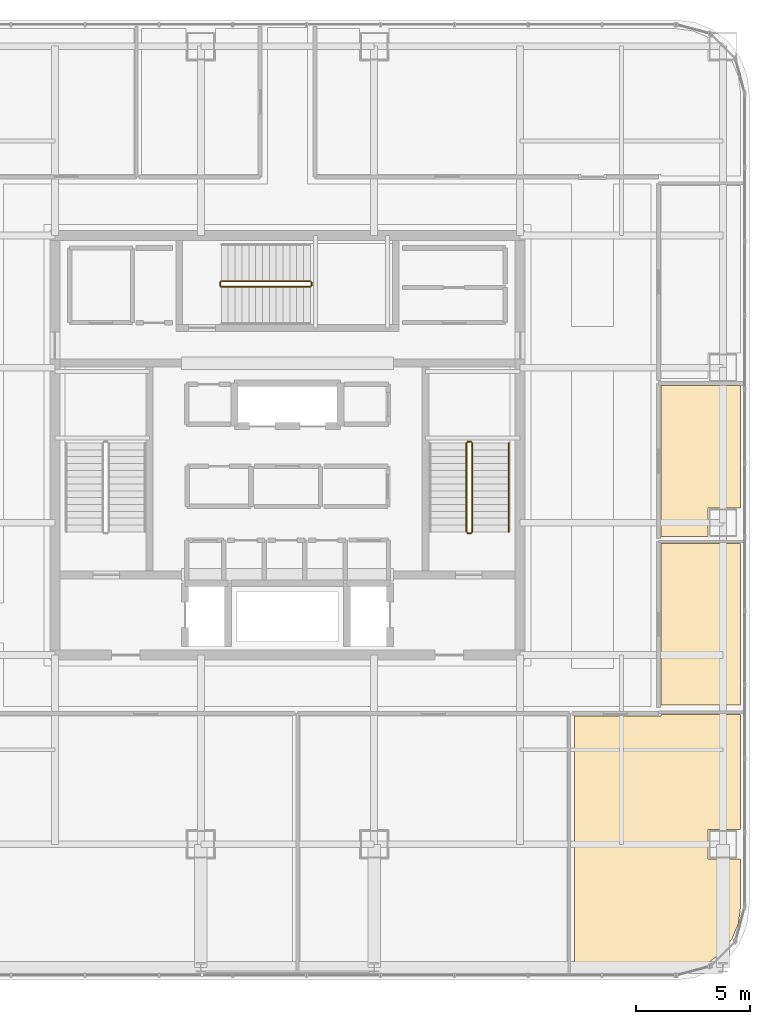
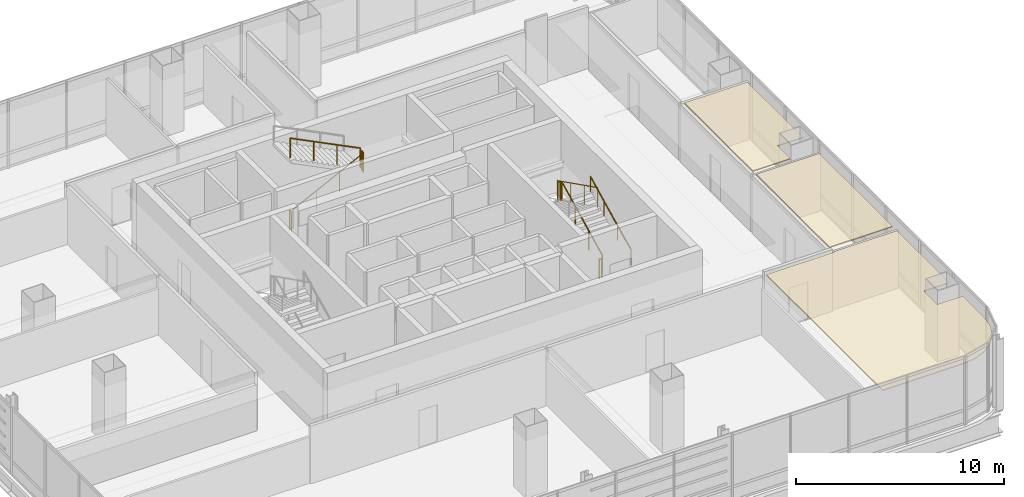
# One storey, part 42 of 43: 9 railings, 3 coverings.
"""IFC4 building model written with IfcOpenShell, lengths in metres."""

from ifc_helpers import new_model, si_unit, direction, frame, origin, origin_2d, place, context, subcontext, project, spatial, polyline, circle, outline, extrude, material, layer, layer_set, type_object, element, save


model = new_model("IFC4")

# Units and contexts
model_context = context("Model", 3, precision=1e-05, world=origin(), true_north=direction((0.0, 1.0)))
body_context = subcontext(model_context, "Body", "Model", "MODEL_VIEW")
ifc_project = project(units=[si_unit("LENGTHUNIT", "METRE"), si_unit("AREAUNIT", "SQUARE_METRE"), si_unit("VOLUMEUNIT", "CUBIC_METRE"), si_unit("PLANEANGLEUNIT", "RADIAN"), si_unit("MASSUNIT", "GRAM", prefix="KILO")], contexts=[model_context])

# Site, building, storey
site_placement = place(None, origin())
site = spatial("IfcSite", under=ifc_project, at=site_placement, CompositionType="ELEMENT")
building_placement = place(site_placement, origin())
building = spatial("IfcBuilding", under=site, at=building_placement, Name="Punatoya Terracotta Tower", CompositionType="ELEMENT")
storey_placement = place(building_placement, frame((0.0, 0.0, 321.60009765625)))
storey = spatial("IfcBuildingStorey", under=building, at=storey_placement, Name="L76", CompositionType="ELEMENT", Elevation=321.60009765625)

# Coverings
ifc_material_1 = material(Name="Acoustic Mineral Fibre Ceiling")
ifc_layer = layer(ifc_material_1, 0.06005859375)
ifc_layer_set = layer_set([ifc_layer], Name="Acoustic Mineral Fibre Ceiling")
covering_type = type_object("IfcCoveringType", Name="COV-CEIL-60", PredefinedType="CEILING", material=ifc_layer_set)
covering_1_placement = place(storey_placement, frame((0.0, 0.0, 3.389892578125)))
element("IfcCovering", 1, at=covering_1_placement, inside=storey, type_object=covering_type, Name="L76 Open-Plan Project Design Office Acoustic Ceiling", PredefinedType="CEILING", context=body_context, shape_type="SweptSolid", body=[
    extrude(outline(polyline([(16.3701171875, -11.8701171875), (12.575927734375, -11.8701171875), (12.575927734375, -23.070068359375), (17.025146484375, -23.070068359375), (17.779052734375, -22.970703125), (18.458251953125, -22.689453125), (19.041748046875, -22.24169921875), (19.489501953125, -21.658203125), (19.770751953125, -20.97900390625), (19.8701171875, -20.22509765625), (19.8701171875, -18.14990234375), (18.449951171875, -18.14990234375), (18.449951171875, -16.85009765625), (19.8701171875, -16.85009765625), (19.8701171875, -11.81005859375), (16.3701171875, -11.81005859375), (16.3701171875, -11.8701171875)])), origin(), (0.0, 0.0, 1.0), 0.06005859375),
])
covering_2_placement = place(storey_placement, frame((0.0, 0.0, 3.389892578125)))
element("IfcCovering", 2, at=covering_2_placement, inside=storey, type_object=covering_type, Name="L76 Client Strategy Boardroom Acoustic Ceiling", PredefinedType="CEILING", context=body_context, shape_type="SweptSolid", body=[
    extrude(outline(polyline([(16.3701171875, -4.318115234375), (16.3701171875, -11.389892578125), (19.8701171875, -11.389892578125), (19.8701171875, -4.318115234375), (16.3701171875, -4.318115234375)])), origin(), (0.0, 0.0, 1.0), 0.06005859375),
])
covering_3_placement = place(storey_placement, frame((0.0, 0.0, 3.389892578125)))
element("IfcCovering", 3, at=covering_3_placement, inside=storey, type_object=covering_type, Name="L76 Open-Plan Staff Tea Pantry Acoustic Ceiling", PredefinedType="CEILING", context=body_context, shape_type="SweptSolid", body=[
    extrude(outline(polyline([(16.3701171875, 2.612060546875), (16.3701171875, -3.998046875), (18.449951171875, -3.998046875), (18.449951171875, -2.75), (19.8701171875, -2.75), (19.8701171875, 2.612060546875), (16.3701171875, 2.612060546875)])), origin(), (0.0, 0.0, 1.0), 0.06005859375),
])

# Railings
ifc_material_2 = material(Name="Steel S355", Category="steel")
railing_type_1 = type_object("IfcRailingType", Name="RLG-GRD-1150", PredefinedType="GUARDRAIL", material=ifc_material_2)
railing_1_placement = place(storey_placement, frame((8.10009765625, -3.800048828125, 0.14990234375)))
element("IfcRailing", 4, at=railing_1_placement, inside=storey, type_object=railing_type_1, Name="L76 ST-2 stair guard 1", PredefinedType="GUARDRAIL", context=body_context, shape_type="SweptSolid", body=[
    extrude(circle(Radius=0.02392578125, at=origin_2d()), frame((0.0, 0.0, 1.1259765625), z_axis=(0.0, 0.894438388696, 0.447191199406), x_axis=(-1.0, 0.0, 0.0)), (0.0, 0.0, 1.0), 4.3603515625),
    extrude(circle(Radius=0.02099609375, at=origin_2d()), origin(), (0.0, 0.0, 1.0), 1.101806640625),
    extrude(circle(Radius=0.02099609375, at=origin_2d()), frame((0.0, 1.300048828125, 0.64990234375)), (0.0, 0.0, 1.0), 1.101806640625),
    extrude(circle(Radius=0.02099609375, at=origin_2d()), frame((0.0, 2.60009765625, 1.300048828125)), (0.0, 0.0, 1.0), 1.101806640625),
    extrude(circle(Radius=0.02099609375, at=origin_2d()), frame((0.0, 3.900146484375, 1.949951171875)), (0.0, 0.0, 1.0), 1.101806640625),
])
railing_2_placement = place(storey_placement, frame((8.050048828125, 0.14990234375, 2.099853515625)))
element("IfcRailing", 5, at=railing_2_placement, inside=storey, type_object=railing_type_1, Name="L76 ST-2 stair guard 2", PredefinedType="GUARDRAIL", context=body_context, shape_type="SweptSolid", body=[
    extrude(circle(Radius=0.02392578125, at=origin_2d()), frame((0.0, 0.0, 1.1259765625), z_axis=(-1.0, 0.0, 0.0), x_axis=(0.0, -1.0, 0.0)), (0.0, 0.0, 1.0), 0.150146484375),
    extrude(circle(Radius=0.02099609375, at=origin_2d()), origin(), (0.0, 0.0, 1.0), 1.101806640625),
    extrude(circle(Radius=0.02099609375, at=origin_2d()), frame((-0.150146484375, 0.0, 0.0)), (0.0, 0.0, 1.0), 1.101806640625),
])
railing_3_placement = place(storey_placement, frame((7.85009765625, 0.10009765625, 2.25)))
element("IfcRailing", 6, at=railing_3_placement, inside=storey, type_object=railing_type_1, Name="L76 ST-2 stair guard 3", PredefinedType="GUARDRAIL", context=body_context, shape_type="SweptSolid", body=[
    extrude(circle(Radius=0.02392578125, at=origin_2d()), frame((0.0, 0.0, 1.1259765625), z_axis=(0.0, -0.894438388696, 0.447191199406), x_axis=(1.0, 0.0, 0.0)), (0.0, 0.0, 1.0), 4.3603515625),
    extrude(circle(Radius=0.02099609375, at=origin_2d()), origin(), (0.0, 0.0, 1.0), 1.101806640625),
    extrude(circle(Radius=0.02099609375, at=origin_2d()), frame((0.0, -1.300048828125, 0.64990234375)), (0.0, 0.0, 1.0), 1.101806640625),
    extrude(circle(Radius=0.02099609375, at=origin_2d()), frame((0.0, -2.60009765625, 1.300048828125)), (0.0, 0.0, 1.0), 1.101806640625),
    extrude(circle(Radius=0.02099609375, at=origin_2d()), frame((0.0, -3.900146484375, 1.949951171875)), (0.0, 0.0, 1.0), 1.101806640625),
])
railing_4_placement = place(storey_placement, frame((8.050048828125, -3.85009765625, 0.0)))
element("IfcRailing", 7, at=railing_4_placement, inside=storey, type_object=railing_type_1, Name="L76 ST-2 stair guard 4", PredefinedType="GUARDRAIL", context=body_context, shape_type="SweptSolid", body=[
    extrude(circle(Radius=0.02392578125, at=origin_2d()), frame((0.0, 0.0, 1.1259765625), z_axis=(-1.0, 0.0, 0.0), x_axis=(0.0, -1.0, 0.0)), (0.0, 0.0, 1.0), 0.150146484375),
    extrude(circle(Radius=0.02099609375, at=origin_2d()), origin(), (0.0, 0.0, 1.0), 1.101806640625),
    extrude(circle(Radius=0.02099609375, at=origin_2d()), frame((-0.150146484375, 0.0, 0.0)), (0.0, 0.0, 1.0), 1.101806640625),
])
railing_5_placement = place(storey_placement, frame((-2.89990234375, 6.949951171875, 0.14990234375)))
element("IfcRailing", 8, at=railing_5_placement, inside=storey, type_object=railing_type_1, Name="L76 ST-3 stair guard 1", PredefinedType="GUARDRAIL", context=body_context, shape_type="SweptSolid", body=[
    extrude(circle(Radius=0.02392578125, at=origin_2d()), frame((0.0, 0.0, 1.1259765625), z_axis=(0.894427191, 0.0, 0.4472135955), x_axis=(0.0, 1.0, 0.0)), (0.0, 0.0, 1.0), 4.360107421875),
    extrude(circle(Radius=0.02099609375, at=origin_2d()), origin(), (0.0, 0.0, 1.0), 1.101806640625),
    extrude(circle(Radius=0.02099609375, at=origin_2d()), frame((1.300048828125, 0.0, 0.64990234375)), (0.0, 0.0, 1.0), 1.101806640625),
    extrude(circle(Radius=0.02099609375, at=origin_2d()), frame((2.599853515625, 0.0, 1.300048828125)), (0.0, 0.0, 1.0), 1.101806640625),
    extrude(circle(Radius=0.02099609375, at=origin_2d()), frame((3.89990234375, 0.0, 1.949951171875)), (0.0, 0.0, 1.0), 1.101806640625),
])
railing_6_placement = place(storey_placement, frame((1.050048828125, 7.0, 2.099853515625)))
element("IfcRailing", 9, at=railing_6_placement, inside=storey, type_object=railing_type_1, Name="L76 ST-3 stair guard 2", PredefinedType="GUARDRAIL", context=body_context, shape_type="SweptSolid", body=[
    extrude(circle(Radius=0.02392578125, at=origin_2d()), frame((0.0, 0.0, 1.1259765625), z_axis=(0.0, 1.0, 0.0), x_axis=(-1.0, 0.0, 0.0)), (0.0, 0.0, 1.0), 0.14990234375),
    extrude(circle(Radius=0.02099609375, at=origin_2d()), origin(), (0.0, 0.0, 1.0), 1.101806640625),
    extrude(circle(Radius=0.02099609375, at=origin_2d()), frame((0.0, 0.14990234375, 0.0)), (0.0, 0.0, 1.0), 1.101806640625),
])
railing_7_placement = place(storey_placement, frame((1.0, 7.199951171875, 2.25)))
element("IfcRailing", 10, at=railing_7_placement, inside=storey, type_object=railing_type_1, Name="L76 ST-3 stair guard 3", PredefinedType="GUARDRAIL", context=body_context, shape_type="SweptSolid", body=[
    extrude(circle(Radius=0.02392578125, at=origin_2d()), frame((0.0, 0.0, 1.1259765625), z_axis=(-0.894427191, 0.0, 0.4472135955), x_axis=(0.0, -1.0, 0.0)), (0.0, 0.0, 1.0), 4.360107421875),
    extrude(circle(Radius=0.02099609375, at=origin_2d()), origin(), (0.0, 0.0, 1.0), 1.101806640625),
    extrude(circle(Radius=0.02099609375, at=origin_2d()), frame((-1.300048828125, 0.0, 0.64990234375)), (0.0, 0.0, 1.0), 1.101806640625),
    extrude(circle(Radius=0.02099609375, at=origin_2d()), frame((-2.599853515625, 0.0, 1.300048828125)), (0.0, 0.0, 1.0), 1.101806640625),
    extrude(circle(Radius=0.02099609375, at=origin_2d()), frame((-3.89990234375, 0.0, 1.949951171875)), (0.0, 0.0, 1.0), 1.101806640625),
])
railing_8_placement = place(storey_placement, frame((-2.949951171875, 7.0, 0.0)))
element("IfcRailing", 11, at=railing_8_placement, inside=storey, type_object=railing_type_1, Name="L76 ST-3 stair guard 4", PredefinedType="GUARDRAIL", context=body_context, shape_type="SweptSolid", body=[
    extrude(circle(Radius=0.02392578125, at=origin_2d()), frame((0.0, 0.0, 1.1259765625), z_axis=(0.0, 1.0, 0.0), x_axis=(-1.0, 0.0, 0.0)), (0.0, 0.0, 1.0), 0.14990234375),
    extrude(circle(Radius=0.02099609375, at=origin_2d()), origin(), (0.0, 0.0, 1.0), 1.101806640625),
    extrude(circle(Radius=0.02099609375, at=origin_2d()), frame((0.0, 0.14990234375, 0.0)), (0.0, 0.0, 1.0), 1.101806640625),
])
railing_type_2 = type_object("IfcRailingType", Name="RLG-HND-900", PredefinedType="HANDRAIL", material=ifc_material_2)
railing_9_placement = place(storey_placement, frame((9.699951171875, -3.800048828125, 0.14990234375)))
element("IfcRailing", 12, at=railing_9_placement, inside=storey, type_object=railing_type_2, Name="L76 ST-2 stair handrail 1", PredefinedType="HANDRAIL", context=body_context, shape_type="SweptSolid", body=[
    extrude(circle(Radius=0.02392578125, at=origin_2d()), frame((0.0, 0.0, 0.8759765625), z_axis=(0.0, 0.894438388696, 0.447191199406), x_axis=(-1.0, 0.0, 0.0)), (0.0, 0.0, 1.0), 4.3603515625),
    extrude(circle(Radius=0.02099609375, at=origin_2d()), origin(), (0.0, 0.0, 1.0), 0.851806640625),
    extrude(circle(Radius=0.02099609375, at=origin_2d()), frame((0.0, 1.300048828125, 0.64990234375)), (0.0, 0.0, 1.0), 0.851806640625),
    extrude(circle(Radius=0.02099609375, at=origin_2d()), frame((0.0, 2.60009765625, 1.300048828125)), (0.0, 0.0, 1.0), 0.851806640625),
    extrude(circle(Radius=0.02099609375, at=origin_2d()), frame((0.0, 3.900146484375, 1.949951171875)), (0.0, 0.0, 1.0), 0.851806640625),
])

save(model, "model.ifc")
